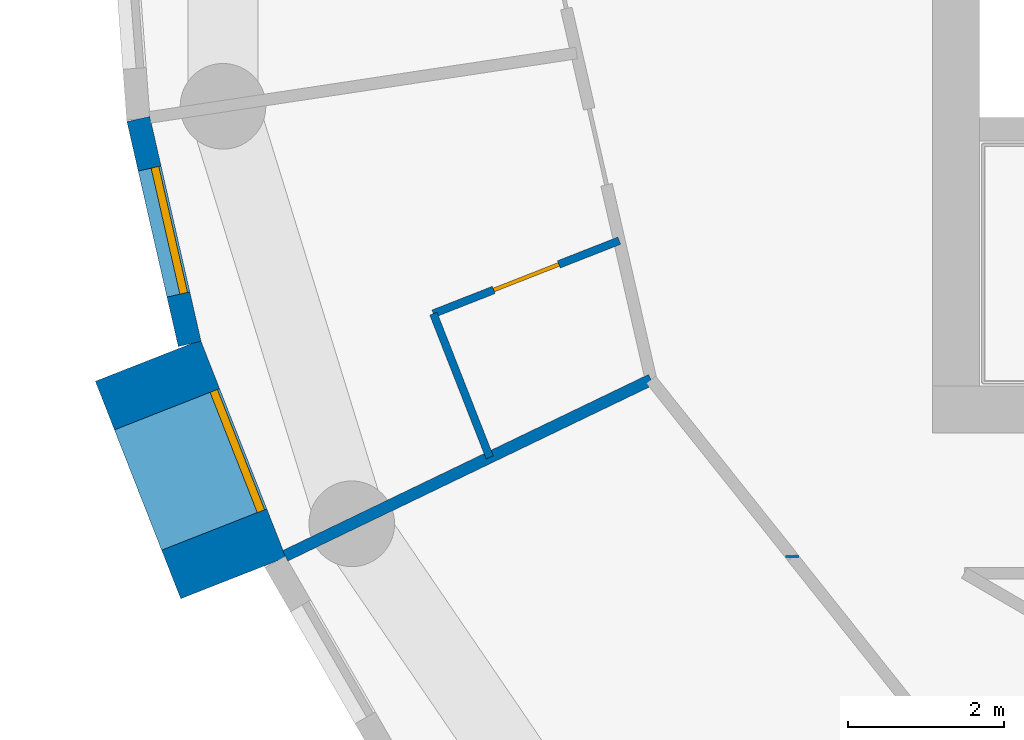
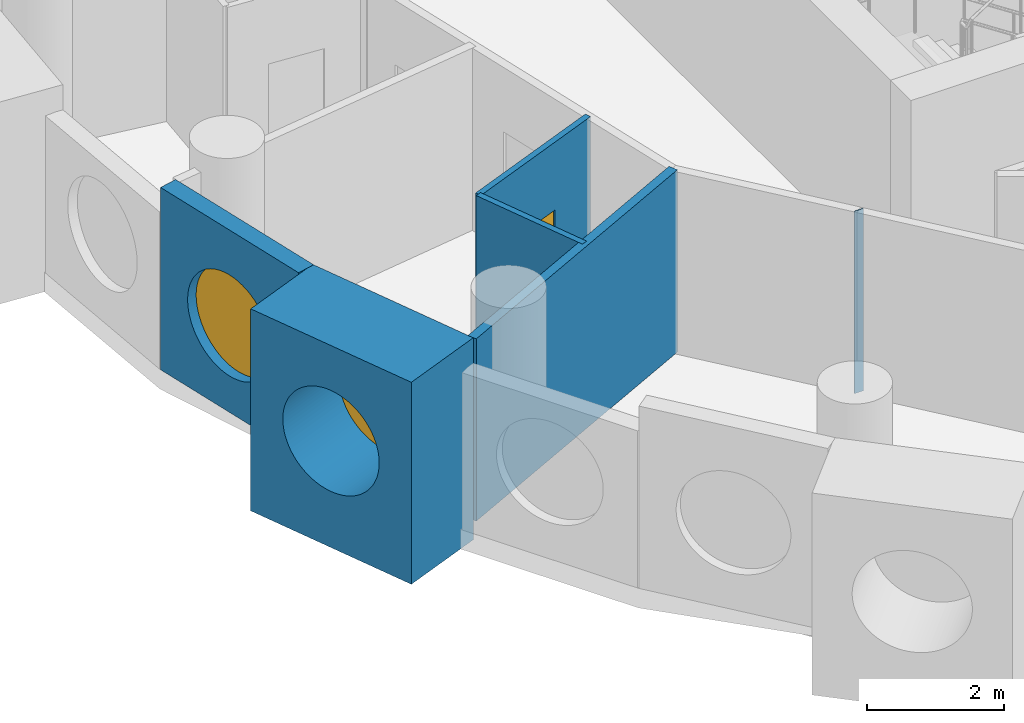
# One storey, part 2 of 12: 6 walls, 2 windows, 1 door, 3 openings.
"""IFC4 building model written with IfcOpenShell, lengths in metres."""

from ifc_helpers import new_model, si_unit, direction, frame, frame_2d, origin, origin_2d, place, context, subcontext, project, spatial, rectangle, circle, extrude, material, layer, layer_set, type_object, element, fill, save


model = new_model("IFC4")

# Units and contexts
model_context = context("Model", 3, precision=1e-05, world=origin(), true_north=direction((0.0, 1.0)))
body_context = subcontext(model_context, "Body", "Model", "MODEL_VIEW")
ifc_project = project(units=[si_unit("LENGTHUNIT", "METRE"), si_unit("AREAUNIT", "SQUARE_METRE"), si_unit("VOLUMEUNIT", "CUBIC_METRE"), si_unit("PLANEANGLEUNIT", "RADIAN"), si_unit("MASSUNIT", "GRAM", prefix="KILO")], contexts=[model_context])

# Site, building, storey
site_placement = place(None, origin())
site = spatial("IfcSite", under=ifc_project, at=site_placement, CompositionType="ELEMENT")
building_placement = place(site_placement, origin())
building = spatial("IfcBuilding", under=site, at=building_placement, Name="Tracery Tower", CompositionType="ELEMENT")
storey_placement = place(building_placement, frame((0.0, 0.0, 249.0)))
storey = spatial("IfcBuildingStorey", under=building, at=storey_placement, Name="L64", CompositionType="ELEMENT", Elevation=249.0)

# Wall, opening, window
ifc_material_1 = material(Name="Precast concrete C50/60", Category="concrete")
ifc_layer_1 = layer(ifc_material_1, 1.449951171875)
ifc_layer_set_1 = layer_set([ifc_layer_1], Name="Deep-set bay unit 3000 x 3600, slab edge 350")
wall_type_1 = type_object("IfcWallType", Name="Deep-set bay unit 3000 x 3600, slab edge 350", PredefinedType="ELEMENTEDWALL", material=ifc_layer_set_1)
wall_1_placement = place(storey_placement, frame((-19.576171875, -6.071533203125, -0.35009765625), z_axis=(0.0, 0.0, 1.0), x_axis=(0.36537792632, -0.93085926485, 0.0)))
wall_1 = element("IfcWall", 1, at=wall_1_placement, inside=storey, type_object=wall_type_1, Name="Deep-set bay unit 24 at L64", PredefinedType="ELEMENTEDWALL", context=body_context, shape_type="SweptSolid", body=[
    extrude(rectangle(XDim=3.000244140625, YDim=1.449951171875, at=frame_2d((1.5, 0.0))), origin(), (0.0, 0.0, 1.0), 3.60009765625),
])
opening_1_placement = place(wall_1_placement, frame((1.5, 0.0, 1.89990234375)))
opening_1 = element("IfcOpeningElement", 2, at=opening_1_placement, cuts=wall_1, Name="Opening WN1", PredefinedType="OPENING", context=body_context, shape_type="SweptSolid", body=[
    extrude(circle(Radius=0.9000244140625, at=origin_2d()), frame((0.0, 0.73486328125, 0.0), z_axis=(0.0, -1.0, 0.0), x_axis=(1.0, 0.0, 0.0)), (0.0, 0.0, 1.0), 1.469970703125),
])
ifc_material_2 = material(Name="Aluminium frame with tinted double glazing", Category="aluminium")
window_type = type_object("IfcWindowType", Name="Round window 1800", PartitioningType="SINGLE_PANEL", PredefinedType="WINDOW", material=ifc_material_2)
window_1_placement = place(opening_1_placement, origin())
window_1 = element("IfcWindow", 3, at=window_1_placement, inside=storey, type_object=window_type, Name="Round window 24 at L64", OverallHeight=1.800048828125, OverallWidth=1.800048828125, PartitioningType="SINGLE_PANEL", PredefinedType="WINDOW", context=body_context, shape_type="SweptSolid", body=[
    extrude(circle(Radius=0.9000244140625, at=origin_2d()), frame((0.0, 0.69482421875, 0.0), z_axis=(0.0, -1.0, 0.0), x_axis=(1.0, 0.0, 0.0)), (0.0, 0.0, 1.0), 0.10009765625),
])
fill(opening_1, window_1)

ifc_material_3 = material(Name="Precast concrete C50/60", Category="concrete")
ifc_layer_2 = layer(ifc_material_3, 0.300048828125)
ifc_layer_set_2 = layer_set([ifc_layer_2], Name="Facade panel 3000 x 3250")
wall_type_2 = type_object("IfcWallType", Name="Facade panel 3000 x 3250", PredefinedType="SOLIDWALL", material=ifc_layer_set_2)
wall_2_placement = place(storey_placement, frame((-19.69921875, -2.96923828125, 0.0), z_axis=(0.0, 0.0, 1.0), x_axis=(0.222529389789, -0.974925982155, 0.0)))
wall_2 = element("IfcWall", 4, at=wall_2_placement, inside=storey, type_object=wall_type_2, Name="Facade panel 23 at L64", PredefinedType="SOLIDWALL", context=body_context, shape_type="SweptSolid", body=[
    extrude(rectangle(XDim=2.962158203125, YDim=0.300048828125, at=frame_2d((1.48095703125, 0.0))), origin(), (0.0, 0.0, 1.0), 3.25),
])
opening_2_placement = place(wall_2_placement, frame((1.48095703125, 0.0, 1.5498046875)))
opening_2 = element("IfcOpeningElement", 5, at=opening_2_placement, cuts=wall_2, Name="Opening WN1", PredefinedType="OPENING", context=body_context, shape_type="SweptSolid", body=[
    extrude(circle(Radius=0.9000244140625, at=origin_2d()), frame((0.0, 0.159912109375, 0.0), z_axis=(0.0, -1.0, 0.0), x_axis=(1.0, 0.0, 0.0)), (0.0, 0.0, 1.0), 0.320068359375),
])
window_2_placement = place(opening_2_placement, origin())
window_2 = element("IfcWindow", 6, at=window_2_placement, inside=storey, type_object=window_type, Name="Round window 23 at L64", OverallHeight=1.800048828125, OverallWidth=1.800048828125, PartitioningType="SINGLE_PANEL", PredefinedType="WINDOW", context=body_context, shape_type="SweptSolid", body=[
    extrude(circle(Radius=0.9000244140625, at=origin_2d()), frame((0.0, 0.1201171875, 0.0), z_axis=(0.0, -1.0, 0.0), x_axis=(1.0, 0.0, 0.0)), (0.0, 0.0, 1.0), 0.10009765625),
])
fill(opening_2, window_2)

# Wall, opening, door
ifc_material_4 = material(Name="Plasterboard on steel studs", Category="steel")
ifc_layer_3 = layer(ifc_material_4, 0.10009765625)
ifc_layer_set_3 = layer_set([ifc_layer_3], Name="Partition 100 wet wall")
wall_type_3 = type_object("IfcWallType", Name="Partition 100 wet wall", PredefinedType="PARTITIONING", material=ifc_layer_set_3)
wall_3_placement = place(storey_placement, frame((-15.910888671875, -5.468017578125, 0.0), z_axis=(0.0, 0.0, 1.0), x_axis=(0.930898333543, 0.365278376867, 0.0)))
wall_3 = element("IfcWall", 7, at=wall_3_placement, inside=storey, type_object=wall_type_3, Name="Wet wall RC2-063", PredefinedType="PARTITIONING", context=body_context, shape_type="SweptSolid", body=[
    extrude(rectangle(XDim=2.565185546875, YDim=0.10009765625, at=frame_2d((1.28271484375, 0.0))), origin(), (0.0, 0.0, 1.0), 3.25),
])
opening_3_placement = place(wall_3_placement, frame((0.832275390625, 0.0, 0.0)))
opening_3 = element("IfcOpeningElement", 8, at=opening_3_placement, cuts=wall_3, Name="Opening RC2-16", PredefinedType="OPENING", context=body_context, shape_type="SweptSolid", body=[
    extrude(rectangle(XDim=0.89990234375, YDim=2.0400390625, at=frame_2d((0.449951171875, 1.02001953125))), frame((0.0, 0.050048828125, 0.0), z_axis=(0.0, -1.0, 0.0), x_axis=(1.0, 0.0, 0.0)), (0.0, 0.0, 1.0), 0.10009765625),
])
ifc_material_5 = material(Name="Timber door leaf", Category="wood")
door_type = type_object("IfcDoorType", Name="Door en-suite 900", OperationType="NOTDEFINED", PredefinedType="DOOR", material=ifc_material_5)
door_placement = place(opening_3_placement, origin())
door = element("IfcDoor", 9, at=door_placement, inside=storey, type_object=door_type, Name="En-suite door RC2-16", OperationType="SINGLE_SWING_RIGHT", OverallHeight=2.0400390625, OverallWidth=0.89990234375, PredefinedType="DOOR", context=body_context, shape_type="SweptSolid", body=[
    extrude(rectangle(XDim=0.89990234375, YDim=2.0400390625, at=frame_2d((0.449951171875, 1.02001953125))), frame((0.0, 0.02490234375, 0.0), z_axis=(0.0, -1.0, 0.0), x_axis=(1.0, 0.0, 0.0)), (0.0, 0.0, 1.0), 0.050048828125),
])
fill(opening_3, door)

# Walls
wall_4_placement = place(storey_placement, frame((-15.910888671875, -5.468017578125, 0.0), z_axis=(0.0, 0.0, 1.0), x_axis=(0.36507706633, -0.930977301356, 0.0)))
element("IfcWall", 10, at=wall_4_placement, inside=storey, type_object=wall_type_3, Name="Wet wall RC2-064", PredefinedType="PARTITIONING", context=body_context, shape_type="SweptSolid", body=[
    extrude(rectangle(XDim=1.98291015625, YDim=0.10009765625, at=frame_2d((0.991455078125, 0.0))), origin(), (0.0, 0.0, 1.0), 3.25),
])
ifc_material_6 = material(Name="Plasterboard on steel studs", Category="steel")
ifc_layer_4 = layer(ifc_material_6, 0.14990234375)
ifc_layer_set_4 = layer_set([ifc_layer_4], Name="Partition 150 acoustic unit wall")
wall_type_4 = type_object("IfcWallType", Name="Partition 150 acoustic unit wall", PredefinedType="PARTITIONING", material=ifc_layer_set_4)
wall_5_placement = place(storey_placement, frame((-17.81298828125, -8.577880859375, 0.0), z_axis=(0.0, 0.0, 1.0), x_axis=(0.901049790108, 0.433715662325, 0.0)))
element("IfcWall", 11, at=wall_5_placement, inside=storey, type_object=wall_type_4, Name="Unit wall RC2-065", PredefinedType="PARTITIONING", context=body_context, shape_type="SweptSolid", body=[
    extrude(rectangle(XDim=5.214111328125, YDim=0.14990234375, at=frame_2d((2.60693359375, 0.0))), origin(), (0.0, 0.0, 1.0), 3.25),
])
ifc_material_7 = material(Name="Plasterboard on steel studs", Category="steel")
ifc_layer_5 = layer(ifc_material_7, 0.14990234375)
ifc_layer_set_5 = layer_set([ifc_layer_5], Name="Partition 150 corridor wall")
wall_type_5 = type_object("IfcWallType", Name="Partition 150 corridor wall", PredefinedType="PARTITIONING", material=ifc_layer_set_5)
wall_6_placement = place(storey_placement, frame((-11.300048828125, -8.59619140625, 0.0), z_axis=(0.0, 0.0, 1.0), x_axis=(0.0, 1.0, 0.0)))
element("IfcWall", 12, at=wall_6_placement, inside=storey, type_object=wall_type_5, Name="Corridor wall RC2-016", PredefinedType="PARTITIONING", context=body_context, shape_type="SweptSolid", body=[
    extrude(rectangle(XDim=0.01025390625, YDim=0.14990234375, at=frame_2d((0.005126953125, 0.0))), origin(), (0.0, 0.0, 1.0), 3.25),
])

save(model, "model.ifc")
